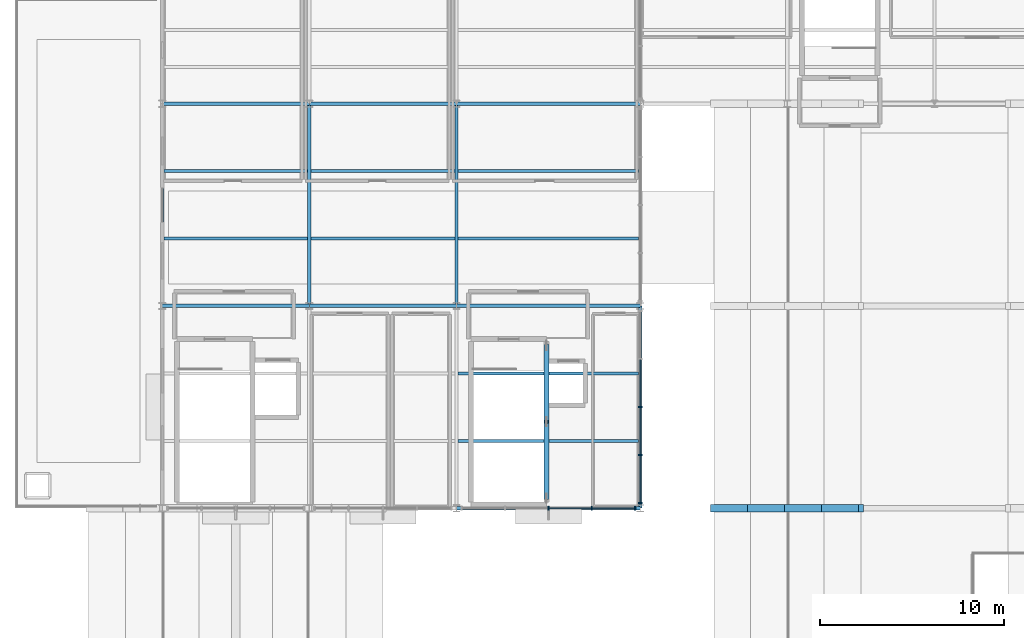
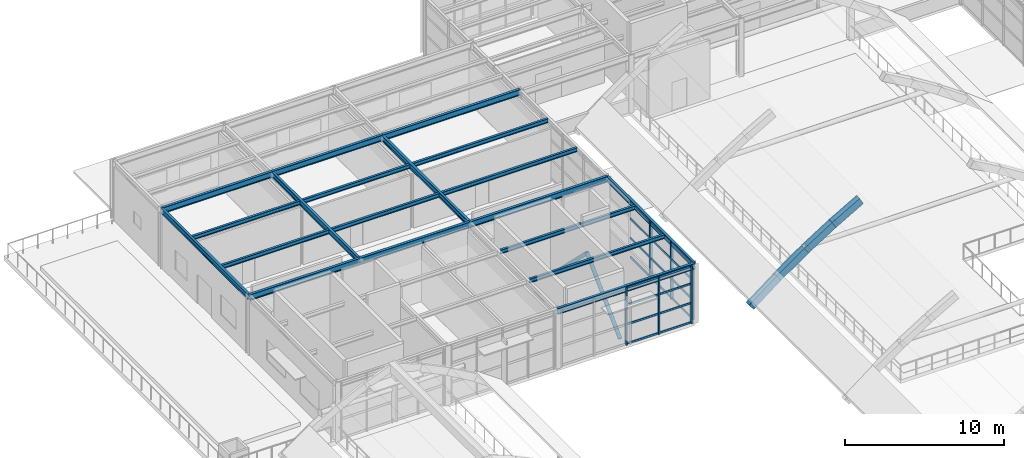
# One storey, part 28 of 82: 28 members, 23 beams, 2 elements without a shape of their own.
"""IFC4 building model written with IfcOpenShell, lengths in metres."""

from ifc_helpers import new_model, si_unit, direction, frame, origin, origin_2d, place, context, subcontext, project, spatial, rectangle, hollow_circle, i_section, extrude, material, layer, layer_set, material_profile, profile_set, type_object, element, aggregate, save


model = new_model("IFC4")

# Units and contexts
model_context = context("Model", 3, precision=1e-05, world=origin(), true_north=direction((0.0, 1.0)))
body_context = subcontext(model_context, "Body", "Model", "MODEL_VIEW")
ifc_project = project(units=[si_unit("LENGTHUNIT", "METRE"), si_unit("AREAUNIT", "SQUARE_METRE"), si_unit("VOLUMEUNIT", "CUBIC_METRE"), si_unit("PLANEANGLEUNIT", "RADIAN"), si_unit("MASSUNIT", "GRAM", prefix="KILO")], contexts=[model_context])

# Site, building, storey
site_placement = place(None, origin())
site = spatial("IfcSite", under=ifc_project, at=site_placement, CompositionType="ELEMENT")
building_placement = place(site_placement, origin())
building = spatial("IfcBuilding", under=site, at=building_placement, Name="Sitalva Quay Ferry Terminal", CompositionType="ELEMENT")
storey_placement = place(building_placement, frame((0.0, 0.0, 5.39990234375)))
storey = spatial("IfcBuildingStorey", under=building, at=storey_placement, Name="L02", CompositionType="ELEMENT", Elevation=5.39990234375)

# Beams
ifc_material_1 = material(Name="Concrete C40/50", Category="concrete")
ifc_material_profile_1 = material_profile(ifc_material_1, rectangle(XDim=0.39990234375, YDim=0.550048828125, at=origin_2d()), Name="RC400x550")
ifc_profile_set_1 = profile_set([ifc_material_profile_1], Name="Concrete C40/50")
beam_type_1 = type_object("IfcBeamType", Name="Beam_Arch_RC400x550", PredefinedType="BEAM", material=ifc_profile_set_1)
beam_1_placement = place(storey_placement, frame((46.0, 78.0, -0.172119140625), z_axis=(0.791620661202, 0.0, 0.611012871189), x_axis=(0.0, 1.0, 0.0)))
element("IfcBeam", 1, at=beam_1_placement, inside=storey, type_object=beam_type_1, Name="Vault V1 transverse arch rib 7.3", PredefinedType="BEAM", context=body_context, shape_type="SweptSolid", body=[
    extrude(rectangle(XDim=0.39990234375, YDim=0.550048828125, at=origin_2d()), origin(), (0.0, 0.0, 1.0), 2.5263671875),
])
beam_2_placement = place(storey_placement, frame((48.0, 78.0, 1.378662109375), z_axis=(0.81986146461, 0.0, 0.572561943241), x_axis=(0.0, 1.0, 0.0)))
element("IfcBeam", 2, at=beam_2_placement, inside=storey, type_object=beam_type_1, Name="Vault V1 transverse arch rib 7.4", PredefinedType="BEAM", context=body_context, shape_type="SweptSolid", body=[
    extrude(rectangle(XDim=0.39990234375, YDim=0.550048828125, at=origin_2d()), origin(), (0.0, 0.0, 1.0), 2.439453125),
])
beam_3_placement = place(storey_placement, frame((50.0, 78.0, 2.78125), z_axis=(0.845437399876, 0.0, 0.534074529341), x_axis=(0.0, 1.0, 0.0)))
element("IfcBeam", 3, at=beam_3_placement, inside=storey, type_object=beam_type_1, Name="Vault V1 transverse arch rib 7.5", PredefinedType="BEAM", context=body_context, shape_type="SweptSolid", body=[
    extrude(rectangle(XDim=0.39990234375, YDim=0.550048828125, at=origin_2d()), origin(), (0.0, 0.0, 1.0), 2.36572265625),
])
beam_4_placement = place(storey_placement, frame((52.0, 78.0, 4.0498046875), z_axis=(0.868569189846, 0.0, 0.495567919109), x_axis=(0.0, 1.0, 0.0)))
element("IfcBeam", 4, at=beam_4_placement, inside=storey, type_object=beam_type_1, Name="Vault V1 transverse arch rib 7.6", PredefinedType="BEAM", context=body_context, shape_type="SweptSolid", body=[
    extrude(rectangle(XDim=0.39990234375, YDim=0.550048828125, at=origin_2d()), origin(), (0.0, 0.0, 1.0), 2.302734375),
])
ifc_material_2 = material(Name="Structural Steel S355JR", Category="steel")
ifc_material_profile_2 = material_profile(ifc_material_2, i_section(OverallWidth=0.180908203125, OverallDepth=0.4169921875, WebThickness=0.010986328125, FlangeThickness=0.018310546875, FilletRadius=0.012939453125, at=origin_2d()), Name="W410x85")
ifc_profile_set_2 = profile_set([ifc_material_profile_2], Name="Structural Steel S355JR")
beam_type_2 = type_object("IfcBeamType", Name="Beam_W410x85", PredefinedType="BEAM", material=ifc_profile_set_2)
for number, where, z_axis, x_axis, name in (
    (5, (16.0, 89.0, 4.3515625), (0.0, 1.0, 0.0), (-1.0, 0.0, 0.0), "L02 Primary Y girder 0971"),
    (6, (24.0, 89.0, 4.3515625), (0.0, 1.0, 0.0), (-1.0, 0.0, 0.0), "L02 Primary Y girder 0974"),
    (7, (32.0, 89.0, 4.3515625), (0.0, 1.0, 0.0), (-1.0, 0.0, 0.0), "L02 Primary Y girder 0977"),
    (8, (42.0, 78.0, 4.3515625), (0.0, 1.0, 0.0), (-1.0, 0.0, 0.0), "L02 Primary Y girder 0979"),
):
    element("IfcBeam", number, at=place(storey_placement, frame(where, z_axis=z_axis, x_axis=x_axis)), inside=storey, type_object=beam_type_2, Name=name, PredefinedType="BEAM", context=body_context, shape_type="SweptSolid", body=[
        extrude(i_section(OverallWidth=0.180908203125, OverallDepth=0.4169921875, WebThickness=0.010986328125, FlangeThickness=0.018310546875, FilletRadius=0.012939453125, at=origin_2d()), origin(), (0.0, 0.0, 1.0), 11.0),
    ])
ifc_material_3 = material(Name="Structural Steel S355JR", Category="steel")
ifc_material_profile_3 = material_profile(ifc_material_3, i_section(OverallWidth=0.19091796875, OverallDepth=0.4599609375, WebThickness=0.010009765625, FlangeThickness=0.01611328125, FilletRadius=0.013916015625, at=origin_2d()), Name="W460x82")
ifc_profile_set_3 = profile_set([ifc_material_profile_3], Name="Structural Steel S355JR")
beam_type_3 = type_object("IfcBeamType", Name="Beam_W460x82", PredefinedType="BEAM", material=ifc_profile_set_3)
beam_5_placement = place(storey_placement, frame((32.0, 78.0, 4.330078125), z_axis=(1.0, 0.0, 0.0), x_axis=(0.0, 1.0, 0.0)))
element("IfcBeam", 9, at=beam_5_placement, inside=storey, type_object=beam_type_3, Name="L02 Primary X girder 0960", PredefinedType="BEAM", context=body_context, shape_type="SweptSolid", body=[
    extrude(i_section(OverallWidth=0.19091796875, OverallDepth=0.4599609375, WebThickness=0.010009765625, FlangeThickness=0.01611328125, FilletRadius=0.013916015625, at=origin_2d()), origin(), (0.0, 0.0, 1.0), 10.0),
])
for number, where, z_axis, x_axis, name in (
    (10, (16.0, 89.0, 4.330078125), (1.0, 0.0, 0.0), (0.0, 1.0, 0.0), "L02 Primary X girder 0961"),
    (11, (24.0, 89.0, 4.330078125), (1.0, 0.0, 0.0), (0.0, 1.0, 0.0), "L02 Primary X girder 0962"),
):
    element("IfcBeam", number, at=place(storey_placement, frame(where, z_axis=z_axis, x_axis=x_axis)), inside=storey, type_object=beam_type_3, Name=name, PredefinedType="BEAM", context=body_context, shape_type="SweptSolid", body=[
        extrude(i_section(OverallWidth=0.19091796875, OverallDepth=0.4599609375, WebThickness=0.010009765625, FlangeThickness=0.01611328125, FilletRadius=0.013916015625, at=origin_2d()), origin(), (0.0, 0.0, 1.0), 8.0),
    ])
beam_6_placement = place(storey_placement, frame((32.0, 89.0, 4.330078125), z_axis=(1.0, 0.0, 0.0), x_axis=(0.0, 1.0, 0.0)))
element("IfcBeam", 12, at=beam_6_placement, inside=storey, type_object=beam_type_3, Name="L02 Primary X girder 0963", PredefinedType="BEAM", context=body_context, shape_type="SweptSolid", body=[
    extrude(i_section(OverallWidth=0.19091796875, OverallDepth=0.4599609375, WebThickness=0.010009765625, FlangeThickness=0.01611328125, FilletRadius=0.013916015625, at=origin_2d()), origin(), (0.0, 0.0, 1.0), 10.0),
])
for number, where, z_axis, x_axis, name in (
    (13, (16.0, 100.0, 4.330078125), (1.0, 0.0, 0.0), (0.0, 1.0, 0.0), "L02 Primary X girder 0964"),
    (14, (24.0, 100.0, 4.330078125), (1.0, 0.0, 0.0), (0.0, 1.0, 0.0), "L02 Primary X girder 0965"),
):
    element("IfcBeam", number, at=place(storey_placement, frame(where, z_axis=z_axis, x_axis=x_axis)), inside=storey, type_object=beam_type_3, Name=name, PredefinedType="BEAM", context=body_context, shape_type="SweptSolid", body=[
        extrude(i_section(OverallWidth=0.19091796875, OverallDepth=0.4599609375, WebThickness=0.010009765625, FlangeThickness=0.01611328125, FilletRadius=0.013916015625, at=origin_2d()), origin(), (0.0, 0.0, 1.0), 8.0),
    ])
beam_7_placement = place(storey_placement, frame((32.0, 100.0, 4.330078125), z_axis=(1.0, 0.0, 0.0), x_axis=(0.0, 1.0, 0.0)))
element("IfcBeam", 15, at=beam_7_placement, inside=storey, type_object=beam_type_3, Name="L02 Primary X girder 0966", PredefinedType="BEAM", context=body_context, shape_type="SweptSolid", body=[
    extrude(i_section(OverallWidth=0.19091796875, OverallDepth=0.4599609375, WebThickness=0.010009765625, FlangeThickness=0.01611328125, FilletRadius=0.013916015625, at=origin_2d()), origin(), (0.0, 0.0, 1.0), 10.0),
])

# Members
ifc_material_4 = material(Name="Structural Steel S355JR", Category="steel")
ifc_material_profile_4 = material_profile(ifc_material_4, hollow_circle(Radius=0.136474609375, WallThickness=0.010009765625, at=origin_2d()), Name="CHS273x10")
ifc_profile_set_4 = profile_set([ifc_material_profile_4], Name="Structural Steel S355JR")
member_type_1 = type_object("IfcMemberType", Name="Brace_CHS273x10", PredefinedType="BRACE", material=ifc_profile_set_4)
for number, where, z_axis, x_axis, name in (
    (16, (36.89990234375, 78.550048828125, 0.150146484375), (0.0, 0.713101275811, 0.701061031891), (-1.0, 0.0, 0.0), "Braced frame BF1 L02 chevron A"),
    (17, (36.89990234375, 82.699951171875, 4.22998046875), (0.0, 0.713121893765, -0.701040059221), (-1.0, 0.0, 0.0), "Braced frame BF1 L02 chevron B"),
):
    element("IfcMember", number, at=place(storey_placement, frame(where, z_axis=z_axis, x_axis=x_axis)), inside=storey, type_object=member_type_1, Name=name, PredefinedType="BRACE", context=body_context, shape_type="SweptSolid", body=[
        extrude(hollow_circle(Radius=0.136474609375, WallThickness=0.010009765625, at=origin_2d()), origin(), (0.0, 0.0, 1.0), 5.819580078125),
    ])

# Beams
ifc_material_5 = material(Name="Structural Steel S355JR", Category="steel")
ifc_material_profile_5 = material_profile(ifc_material_5, i_section(OverallWidth=0.166015625, OverallDepth=0.31298828125, WebThickness=0.006591796875, FlangeThickness=0.01123046875, FilletRadius=0.010986328125, at=origin_2d()), Name="W310x45")
ifc_profile_set_5 = profile_set([ifc_material_profile_5], Name="Structural Steel S355JR")
beam_type_4 = type_object("IfcBeamType", Name="Joist_W310x45", PredefinedType="JOIST", material=ifc_profile_set_5)
for number, where, z_axis, x_axis, name in (
    (18, (32.090576171875, 81.666748046875, 4.403564453125), (1.0, 0.0, 0.0), (0.0, 1.0, 0.0), "L02 Secondary joist 0984"),
    (19, (32.090576171875, 85.333251953125, 4.403564453125), (1.0, 0.0, 0.0), (0.0, 1.0, 0.0), "L02 Secondary joist 0987"),
):
    element("IfcBeam", number, at=place(storey_placement, frame(where, z_axis=z_axis, x_axis=x_axis)), inside=storey, type_object=beam_type_4, Name=name, PredefinedType="JOIST", context=body_context, shape_type="SweptSolid", body=[
        extrude(i_section(OverallWidth=0.166015625, OverallDepth=0.31298828125, WebThickness=0.006591796875, FlangeThickness=0.01123046875, FilletRadius=0.010986328125, at=origin_2d()), origin(), (0.0, 0.0, 1.0), 9.81884765625),
    ])
for number, where, z_axis, x_axis, name in (
    (20, (16.090576171875, 92.666748046875, 4.403564453125), (1.0, 0.0, 0.0), (0.0, 1.0, 0.0), "L02 Secondary joist 0988"),
    (21, (24.090576171875, 92.666748046875, 4.403564453125), (1.0, 0.0, 0.0), (0.0, 1.0, 0.0), "L02 Secondary joist 0989"),
):
    element("IfcBeam", number, at=place(storey_placement, frame(where, z_axis=z_axis, x_axis=x_axis)), inside=storey, type_object=beam_type_4, Name=name, PredefinedType="JOIST", context=body_context, shape_type="SweptSolid", body=[
        extrude(i_section(OverallWidth=0.166015625, OverallDepth=0.31298828125, WebThickness=0.006591796875, FlangeThickness=0.01123046875, FilletRadius=0.010986328125, at=origin_2d()), origin(), (0.0, 0.0, 1.0), 7.81884765625),
    ])
beam_8_placement = place(storey_placement, frame((32.090576171875, 92.666748046875, 4.403564453125), z_axis=(1.0, 0.0, 0.0), x_axis=(0.0, 1.0, 0.0)))
element("IfcBeam", 22, at=beam_8_placement, inside=storey, type_object=beam_type_4, Name="L02 Secondary joist 0990", PredefinedType="JOIST", context=body_context, shape_type="SweptSolid", body=[
    extrude(i_section(OverallWidth=0.166015625, OverallDepth=0.31298828125, WebThickness=0.006591796875, FlangeThickness=0.01123046875, FilletRadius=0.010986328125, at=origin_2d()), origin(), (0.0, 0.0, 1.0), 9.81884765625),
])
for number, where, z_axis, x_axis, name in (
    (23, (16.090576171875, 96.333251953125, 4.403564453125), (1.0, 0.0, 0.0), (0.0, 1.0, 0.0), "L02 Secondary joist 0991"),
    (24, (24.090576171875, 96.333251953125, 4.403564453125), (1.0, 0.0, 0.0), (0.0, 1.0, 0.0), "L02 Secondary joist 0992"),
):
    element("IfcBeam", number, at=place(storey_placement, frame(where, z_axis=z_axis, x_axis=x_axis)), inside=storey, type_object=beam_type_4, Name=name, PredefinedType="JOIST", context=body_context, shape_type="SweptSolid", body=[
        extrude(i_section(OverallWidth=0.166015625, OverallDepth=0.31298828125, WebThickness=0.006591796875, FlangeThickness=0.01123046875, FilletRadius=0.010986328125, at=origin_2d()), origin(), (0.0, 0.0, 1.0), 7.81884765625),
    ])
beam_9_placement = place(storey_placement, frame((32.090576171875, 96.333251953125, 4.403564453125), z_axis=(1.0, 0.0, 0.0), x_axis=(0.0, 1.0, 0.0)))
element("IfcBeam", 25, at=beam_9_placement, inside=storey, type_object=beam_type_4, Name="L02 Secondary joist 0993", PredefinedType="JOIST", context=body_context, shape_type="SweptSolid", body=[
    extrude(i_section(OverallWidth=0.166015625, OverallDepth=0.31298828125, WebThickness=0.006591796875, FlangeThickness=0.01123046875, FilletRadius=0.010986328125, at=origin_2d()), origin(), (0.0, 0.0, 1.0), 9.81884765625),
])

# Curtain wall, members
ifc_material_6 = material(Name="Anodised Aluminium & Low-E Glazing", Category="aluminium")
ifc_layer = layer(ifc_material_6, 0.159912109375)
ifc_layer_set = layer_set([ifc_layer], Name="Anodised Aluminium & Low-E Glazing")
curtain_wall_type = type_object("IfcCurtainWallType", Name="CW_Office_Unitised", PredefinedType="USERDEFINED", material=ifc_layer_set)
curtain_wall_1_placement = place(storey_placement, origin())
curtain_wall_1 = element("IfcCurtainWall", 26, at=curtain_wall_1_placement, inside=storey, type_object=curtain_wall_type, Name="L02 west wing south courtyard glazing (CW-L02-108)", ObjectType="CURTAIN_WALL", PredefinedType="USERDEFINED")
ifc_material_7 = material(Name="Anodised Aluminium 6063-T6", Category="aluminium")
ifc_material_profile_6 = material_profile(ifc_material_7, rectangle(XDim=0.074951171875, YDim=0.219970703125, at=origin_2d()), Name="ALU75x220")
ifc_profile_set_6 = profile_set([ifc_material_profile_6], Name="Anodised Aluminium 6063-T6")
member_type_2 = type_object("IfcMemberType", Name="Mullion_Alu_75x160", PredefinedType="MULLION", material=ifc_profile_set_6)
member_1_placement = place(storey_placement, frame((37.0, 78.0, 0.0), z_axis=(0.0, 0.0, 1.0), x_axis=(1.0, 0.0, 0.0)))
member_1 = element("IfcMember", 27, at=member_1_placement, type_object=member_type_2, Name="CW-L02-108-M2", PredefinedType="MULLION", context=body_context, shape_type="SweptSolid", body=[
    extrude(rectangle(XDim=0.074951171875, YDim=0.219970703125, at=origin_2d()), origin(), (0.0, 0.0, 1.0), 4.4501953125),
])
member_2_placement = place(storey_placement, frame((39.360107421875, 78.0, 0.0), z_axis=(0.0, 0.0, 1.0), x_axis=(1.0, 0.0, 0.0)))
member_2 = element("IfcMember", 28, at=member_2_placement, type_object=member_type_2, Name="CW-L02-108-M3", PredefinedType="MULLION", context=body_context, shape_type="SweptSolid", body=[
    extrude(rectangle(XDim=0.074951171875, YDim=0.219970703125, at=origin_2d()), origin(), (0.0, 0.0, 1.0), 4.4501953125),
])
member_3_placement = place(storey_placement, frame((41.719970703125, 78.0, 0.0), z_axis=(0.0, 0.0, 1.0), x_axis=(1.0, 0.0, 0.0)))
member_3 = element("IfcMember", 29, at=member_3_placement, type_object=member_type_2, Name="CW-L02-108-M4", PredefinedType="MULLION", context=body_context, shape_type="SweptSolid", body=[
    extrude(rectangle(XDim=0.074951171875, YDim=0.219970703125, at=origin_2d()), origin(), (0.0, 0.0, 1.0), 4.4501953125),
])

curtain_wall_2_placement = place(storey_placement, origin())
curtain_wall_2 = element("IfcCurtainWall", 30, at=curtain_wall_2_placement, inside=storey, type_object=curtain_wall_type, Name="L02 west wing east glazing overlooking V1 (CW-L02-109)", ObjectType="CURTAIN_WALL", PredefinedType="USERDEFINED")
member_4_placement = place(storey_placement, frame((42.0, 78.280029296875, 0.0), z_axis=(0.0, 0.0, 1.0), x_axis=(0.0, 1.0, 0.0)))
member_4 = element("IfcMember", 31, at=member_4_placement, type_object=member_type_2, Name="CW-L02-109-M0", PredefinedType="MULLION", context=body_context, shape_type="SweptSolid", body=[
    extrude(rectangle(XDim=0.074951171875, YDim=0.219970703125, at=origin_2d()), origin(), (0.0, 0.0, 1.0), 4.4501953125),
])
member_5_placement = place(storey_placement, frame((42.0, 80.889892578125, 0.0), z_axis=(0.0, 0.0, 1.0), x_axis=(0.0, 1.0, 0.0)))
member_5 = element("IfcMember", 32, at=member_5_placement, type_object=member_type_2, Name="CW-L02-109-M1", PredefinedType="MULLION", context=body_context, shape_type="SweptSolid", body=[
    extrude(rectangle(XDim=0.074951171875, YDim=0.219970703125, at=origin_2d()), origin(), (0.0, 0.0, 1.0), 4.4501953125),
])
member_6_placement = place(storey_placement, frame((42.0, 83.5, 0.0), z_axis=(0.0, 0.0, 1.0), x_axis=(0.0, 1.0, 0.0)))
member_6 = element("IfcMember", 33, at=member_6_placement, type_object=member_type_2, Name="CW-L02-109-M2", PredefinedType="MULLION", context=body_context, shape_type="SweptSolid", body=[
    extrude(rectangle(XDim=0.074951171875, YDim=0.219970703125, at=origin_2d()), origin(), (0.0, 0.0, 1.0), 4.4501953125),
])

# Member
ifc_material_8 = material(Name="Anodised Aluminium 6063-T6", Category="aluminium")
ifc_material_profile_7 = material_profile(ifc_material_8, rectangle(XDim=0.074951171875, YDim=0.14990234375, at=origin_2d()), Name="ALU75x150")
ifc_profile_set_7 = profile_set([ifc_material_profile_7], Name="Anodised Aluminium 6063-T6")
member_type_3 = type_object("IfcMemberType", Name="Transom_Alu_75x140", PredefinedType="MULLION", material=ifc_profile_set_7)
member_7_placement = place(storey_placement, frame((37.03759765625, 78.0, 0.0751953125), z_axis=(1.0, 0.0, 0.0), x_axis=(0.0, 1.0, 0.0)))
member_7 = element("IfcMember", 34, at=member_7_placement, type_object=member_type_3, Name="CW-L02-108-T2-0", ObjectType="TRANSOM", PredefinedType="USERDEFINED", context=body_context, shape_type="SweptSolid", body=[
    extrude(rectangle(XDim=0.074951171875, YDim=0.14990234375, at=origin_2d()), origin(), (0.0, 0.0, 1.0), 2.284912109375),
])

member_8_placement = place(storey_placement, frame((37.03759765625, 78.0, 1.558349609375), z_axis=(1.0, 0.0, 0.0), x_axis=(0.0, 1.0, 0.0)))
member_8 = element("IfcMember", 35, at=member_8_placement, type_object=member_type_3, Name="CW-L02-108-T2-1", ObjectType="TRANSOM", PredefinedType="USERDEFINED", context=body_context, shape_type="SweptSolid", body=[
    extrude(rectangle(XDim=0.074951171875, YDim=0.14990234375, at=origin_2d()), origin(), (0.0, 0.0, 1.0), 2.284912109375),
])

member_9_placement = place(storey_placement, frame((37.03759765625, 78.0, 3.041748046875), z_axis=(1.0, 0.0, 0.0), x_axis=(0.0, 1.0, 0.0)))
member_9 = element("IfcMember", 36, at=member_9_placement, type_object=member_type_3, Name="CW-L02-108-T2-2", ObjectType="TRANSOM", PredefinedType="USERDEFINED", context=body_context, shape_type="SweptSolid", body=[
    extrude(rectangle(XDim=0.074951171875, YDim=0.14990234375, at=origin_2d()), origin(), (0.0, 0.0, 1.0), 2.284912109375),
])

member_10_placement = place(storey_placement, frame((37.03759765625, 78.0, 4.375), z_axis=(1.0, 0.0, 0.0), x_axis=(0.0, 1.0, 0.0)))
member_10 = element("IfcMember", 37, at=member_10_placement, type_object=member_type_3, Name="CW-L02-108-T2-3", ObjectType="TRANSOM", PredefinedType="USERDEFINED", context=body_context, shape_type="SweptSolid", body=[
    extrude(rectangle(XDim=0.074951171875, YDim=0.14990234375, at=origin_2d()), origin(), (0.0, 0.0, 1.0), 2.284912109375),
])

member_11_placement = place(storey_placement, frame((39.3974609375, 78.0, 0.0751953125), z_axis=(1.0, 0.0, 0.0), x_axis=(0.0, 1.0, 0.0)))
member_11 = element("IfcMember", 38, at=member_11_placement, type_object=member_type_3, Name="CW-L02-108-T3-0", ObjectType="TRANSOM", PredefinedType="USERDEFINED", context=body_context, shape_type="SweptSolid", body=[
    extrude(rectangle(XDim=0.074951171875, YDim=0.14990234375, at=origin_2d()), origin(), (0.0, 0.0, 1.0), 2.28515625),
])

member_12_placement = place(storey_placement, frame((39.3974609375, 78.0, 1.558349609375), z_axis=(1.0, 0.0, 0.0), x_axis=(0.0, 1.0, 0.0)))
member_12 = element("IfcMember", 39, at=member_12_placement, type_object=member_type_3, Name="CW-L02-108-T3-1", ObjectType="TRANSOM", PredefinedType="USERDEFINED", context=body_context, shape_type="SweptSolid", body=[
    extrude(rectangle(XDim=0.074951171875, YDim=0.14990234375, at=origin_2d()), origin(), (0.0, 0.0, 1.0), 2.28515625),
])

member_13_placement = place(storey_placement, frame((39.3974609375, 78.0, 3.041748046875), z_axis=(1.0, 0.0, 0.0), x_axis=(0.0, 1.0, 0.0)))
member_13 = element("IfcMember", 40, at=member_13_placement, type_object=member_type_3, Name="CW-L02-108-T3-2", ObjectType="TRANSOM", PredefinedType="USERDEFINED", context=body_context, shape_type="SweptSolid", body=[
    extrude(rectangle(XDim=0.074951171875, YDim=0.14990234375, at=origin_2d()), origin(), (0.0, 0.0, 1.0), 2.28515625),
])

member_14_placement = place(storey_placement, frame((39.3974609375, 78.0, 4.375), z_axis=(1.0, 0.0, 0.0), x_axis=(0.0, 1.0, 0.0)))
member_14 = element("IfcMember", 41, at=member_14_placement, type_object=member_type_3, Name="CW-L02-108-T3-3", ObjectType="TRANSOM", PredefinedType="USERDEFINED", context=body_context, shape_type="SweptSolid", body=[
    extrude(rectangle(XDim=0.074951171875, YDim=0.14990234375, at=origin_2d()), origin(), (0.0, 0.0, 1.0), 2.28515625),
])

aggregate(curtain_wall_1, [member_1, member_2, member_3, member_7, member_8, member_9, member_10, member_11, member_12, member_13, member_14])

member_15_placement = place(storey_placement, frame((42.0, 78.3173828125, 0.0751953125), z_axis=(0.0, 1.0, 0.0), x_axis=(-1.0, 0.0, 0.0)))
member_15 = element("IfcMember", 42, at=member_15_placement, type_object=member_type_3, Name="CW-L02-109-T0-0", ObjectType="TRANSOM", PredefinedType="USERDEFINED", context=body_context, shape_type="SweptSolid", body=[
    extrude(rectangle(XDim=0.074951171875, YDim=0.14990234375, at=origin_2d()), origin(), (0.0, 0.0, 1.0), 2.53515625),
])

member_16_placement = place(storey_placement, frame((42.0, 78.3173828125, 1.558349609375), z_axis=(0.0, 1.0, 0.0), x_axis=(-1.0, 0.0, 0.0)))
member_16 = element("IfcMember", 43, at=member_16_placement, type_object=member_type_3, Name="CW-L02-109-T0-1", ObjectType="TRANSOM", PredefinedType="USERDEFINED", context=body_context, shape_type="SweptSolid", body=[
    extrude(rectangle(XDim=0.074951171875, YDim=0.14990234375, at=origin_2d()), origin(), (0.0, 0.0, 1.0), 2.53515625),
])

member_17_placement = place(storey_placement, frame((42.0, 78.3173828125, 3.041748046875), z_axis=(0.0, 1.0, 0.0), x_axis=(-1.0, 0.0, 0.0)))
member_17 = element("IfcMember", 44, at=member_17_placement, type_object=member_type_3, Name="CW-L02-109-T0-2", ObjectType="TRANSOM", PredefinedType="USERDEFINED", context=body_context, shape_type="SweptSolid", body=[
    extrude(rectangle(XDim=0.074951171875, YDim=0.14990234375, at=origin_2d()), origin(), (0.0, 0.0, 1.0), 2.53515625),
])

member_18_placement = place(storey_placement, frame((42.0, 78.3173828125, 4.375), z_axis=(0.0, 1.0, 0.0), x_axis=(-1.0, 0.0, 0.0)))
member_18 = element("IfcMember", 45, at=member_18_placement, type_object=member_type_3, Name="CW-L02-109-T0-3", ObjectType="TRANSOM", PredefinedType="USERDEFINED", context=body_context, shape_type="SweptSolid", body=[
    extrude(rectangle(XDim=0.074951171875, YDim=0.14990234375, at=origin_2d()), origin(), (0.0, 0.0, 1.0), 2.53515625),
])

member_19_placement = place(storey_placement, frame((42.0, 80.927490234375, 0.0751953125), z_axis=(0.0, 1.0, 0.0), x_axis=(-1.0, 0.0, 0.0)))
member_19 = element("IfcMember", 46, at=member_19_placement, type_object=member_type_3, Name="CW-L02-109-T1-0", ObjectType="TRANSOM", PredefinedType="USERDEFINED", context=body_context, shape_type="SweptSolid", body=[
    extrude(rectangle(XDim=0.074951171875, YDim=0.14990234375, at=origin_2d()), origin(), (0.0, 0.0, 1.0), 2.534912109375),
])

member_20_placement = place(storey_placement, frame((42.0, 80.927490234375, 1.558349609375), z_axis=(0.0, 1.0, 0.0), x_axis=(-1.0, 0.0, 0.0)))
member_20 = element("IfcMember", 47, at=member_20_placement, type_object=member_type_3, Name="CW-L02-109-T1-1", ObjectType="TRANSOM", PredefinedType="USERDEFINED", context=body_context, shape_type="SweptSolid", body=[
    extrude(rectangle(XDim=0.074951171875, YDim=0.14990234375, at=origin_2d()), origin(), (0.0, 0.0, 1.0), 2.534912109375),
])

member_21_placement = place(storey_placement, frame((42.0, 80.927490234375, 3.041748046875), z_axis=(0.0, 1.0, 0.0), x_axis=(-1.0, 0.0, 0.0)))
member_21 = element("IfcMember", 48, at=member_21_placement, type_object=member_type_3, Name="CW-L02-109-T1-2", ObjectType="TRANSOM", PredefinedType="USERDEFINED", context=body_context, shape_type="SweptSolid", body=[
    extrude(rectangle(XDim=0.074951171875, YDim=0.14990234375, at=origin_2d()), origin(), (0.0, 0.0, 1.0), 2.534912109375),
])

member_22_placement = place(storey_placement, frame((42.0, 80.927490234375, 4.375), z_axis=(0.0, 1.0, 0.0), x_axis=(-1.0, 0.0, 0.0)))
member_22 = element("IfcMember", 49, at=member_22_placement, type_object=member_type_3, Name="CW-L02-109-T1-3", ObjectType="TRANSOM", PredefinedType="USERDEFINED", context=body_context, shape_type="SweptSolid", body=[
    extrude(rectangle(XDim=0.074951171875, YDim=0.14990234375, at=origin_2d()), origin(), (0.0, 0.0, 1.0), 2.534912109375),
])

member_23_placement = place(storey_placement, frame((42.0, 83.53759765625, 0.0751953125), z_axis=(0.0, 1.0, 0.0), x_axis=(-1.0, 0.0, 0.0)))
member_23 = element("IfcMember", 50, at=member_23_placement, type_object=member_type_3, Name="CW-L02-109-T2-0", ObjectType="TRANSOM", PredefinedType="USERDEFINED", context=body_context, shape_type="SweptSolid", body=[
    extrude(rectangle(XDim=0.074951171875, YDim=0.14990234375, at=origin_2d()), origin(), (0.0, 0.0, 1.0), 2.534912109375),
])

member_24_placement = place(storey_placement, frame((42.0, 83.53759765625, 1.558349609375), z_axis=(0.0, 1.0, 0.0), x_axis=(-1.0, 0.0, 0.0)))
member_24 = element("IfcMember", 51, at=member_24_placement, type_object=member_type_3, Name="CW-L02-109-T2-1", ObjectType="TRANSOM", PredefinedType="USERDEFINED", context=body_context, shape_type="SweptSolid", body=[
    extrude(rectangle(XDim=0.074951171875, YDim=0.14990234375, at=origin_2d()), origin(), (0.0, 0.0, 1.0), 2.534912109375),
])

member_25_placement = place(storey_placement, frame((42.0, 83.53759765625, 3.041748046875), z_axis=(0.0, 1.0, 0.0), x_axis=(-1.0, 0.0, 0.0)))
member_25 = element("IfcMember", 52, at=member_25_placement, type_object=member_type_3, Name="CW-L02-109-T2-2", ObjectType="TRANSOM", PredefinedType="USERDEFINED", context=body_context, shape_type="SweptSolid", body=[
    extrude(rectangle(XDim=0.074951171875, YDim=0.14990234375, at=origin_2d()), origin(), (0.0, 0.0, 1.0), 2.534912109375),
])

member_26_placement = place(storey_placement, frame((42.0, 83.53759765625, 4.375), z_axis=(0.0, 1.0, 0.0), x_axis=(-1.0, 0.0, 0.0)))
member_26 = element("IfcMember", 53, at=member_26_placement, type_object=member_type_3, Name="CW-L02-109-T2-3", ObjectType="TRANSOM", PredefinedType="USERDEFINED", context=body_context, shape_type="SweptSolid", body=[
    extrude(rectangle(XDim=0.074951171875, YDim=0.14990234375, at=origin_2d()), origin(), (0.0, 0.0, 1.0), 2.534912109375),
])

aggregate(curtain_wall_2, [member_4, member_5, member_6, member_15, member_16, member_17, member_18, member_19, member_20, member_21, member_22, member_23, member_24, member_25, member_26])

save(model, "model.ifc")
